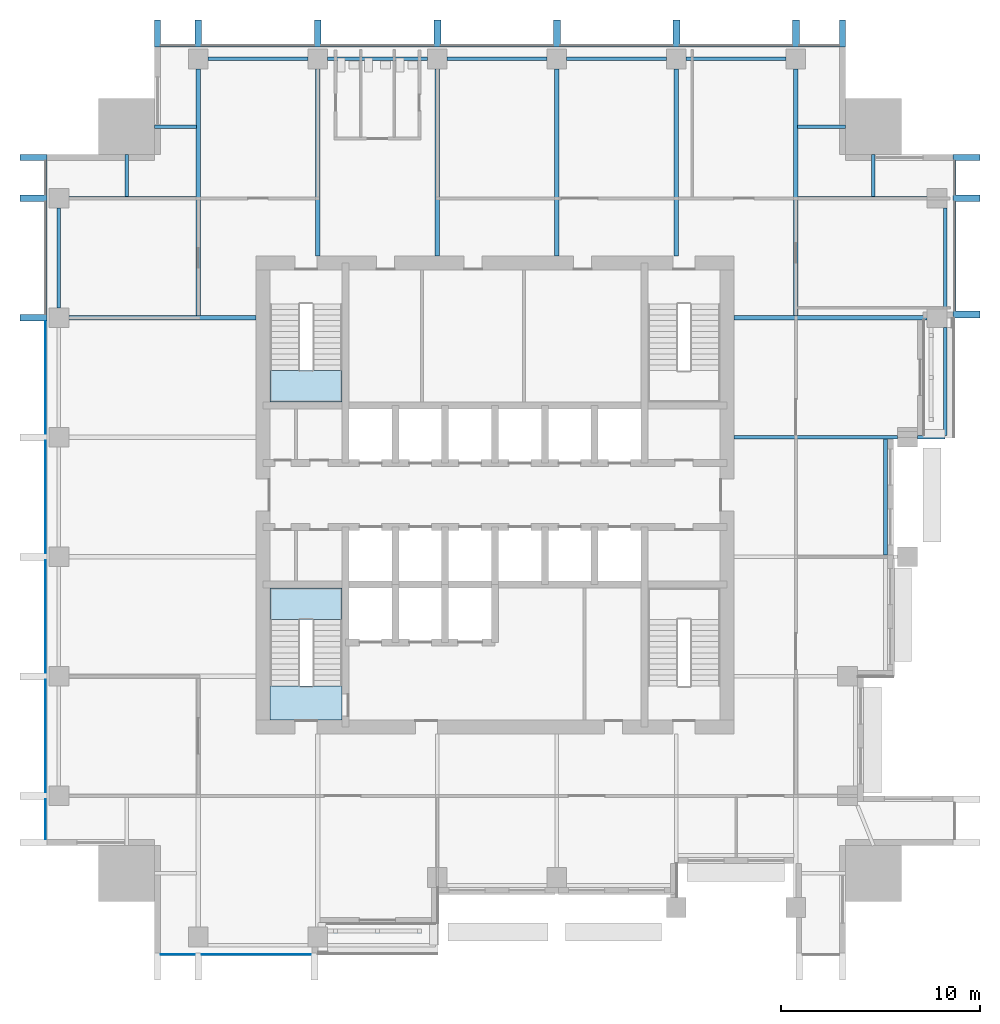
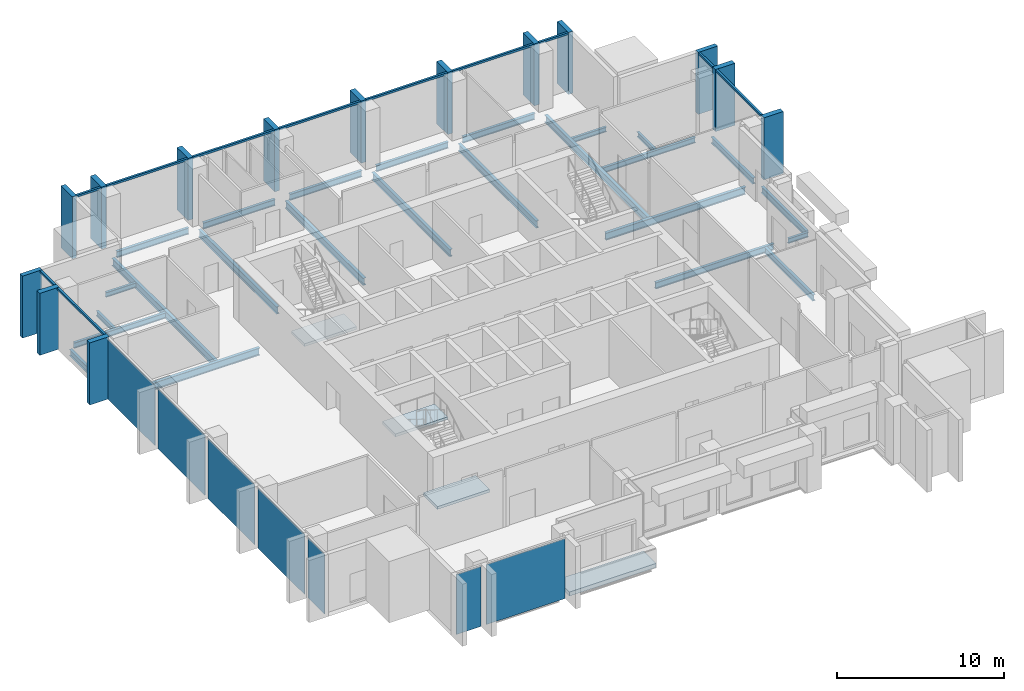
# One storey, part 2 of 11: 25 beams, 25 members, 7 plates, 4 slabs, 6 elements without a shape of their own.
"""IFC4 building model written with IfcOpenShell, lengths in metres."""

import ifcopenshell
import ifcopenshell.guid

model = None  # the IFC model being written
_history = None  # IfcOwnerHistory: only IFC2X3 demands one
_inside = {}  # id of a spatial element -> (the spatial element, [elements in it])
_under = {}  # id of a project, library or spatial element -> (it, [spatial elements below it])
_declared = {}  # id of a project -> (the project, [libraries it declares])
_typed = {}  # id of a type object -> (the type object, [elements of that type])
_made_of = {}  # id of a material, layer set ... -> (it, [elements and type objects made of it])


def new_model(schema):
    """Start an empty IFC model of exactly this schema.

    Asked for "IFC4X3", IfcOpenShell would pick the latest addendum, in which some entities
    have other attributes; the version numbers below select the first issue.
    IFC2X3 requires an IfcOwnerHistory on every rooted entity: one is made here for all.
    """
    global model, _history
    if schema == "IFC4X3":
        model = ifcopenshell.file(schema_version=(4, 3, 0, 0))
    else:
        model = ifcopenshell.file(schema=schema)
    _inside.clear()
    _under.clear()
    _declared.clear()
    _typed.clear()
    _made_of.clear()
    _history = None
    if model.schema == "IFC2X3":
        org = make("IfcOrganization", Name="unknown")
        user = make(
            "IfcPersonAndOrganization",
            ThePerson=make("IfcPerson", FamilyName="unknown"),
            TheOrganization=org,
        )
        app = make(
            "IfcApplication",
            ApplicationDeveloper=org,
            Version="unknown",
            ApplicationFullName="unknown",
            ApplicationIdentifier="unknown",
        )
        _history = make(
            "IfcOwnerHistory",
            OwningUser=user,
            OwningApplication=app,
            ChangeAction="ADDED",
            CreationDate=0,
        )
    return model


def make(cls, **values):
    """One entity of the class cls with the attributes given. An attribute that is None is left unset."""
    return model.create_entity(
        cls, **{name: value for name, value in values.items() if value is not None}
    )


def rooted(cls, **values):
    """An entity with a GlobalId (a new one), such as an element, a storey or a relation."""
    return make(cls, GlobalId=ifcopenshell.guid.new(), OwnerHistory=_history, **values)


def si_unit(unit_type, name, prefix=None):
    """IfcSIUnit, for example si_unit("LENGTHUNIT", "METRE", prefix="MILLI")."""
    return make("IfcSIUnit", UnitType=unit_type, Prefix=prefix, Name=name)


def assignment(units):
    """IfcUnitAssignment: the units of a project."""
    return None if units is None else make("IfcUnitAssignment", Units=units)


def point(xyz):
    """IfcCartesianPoint."""
    return None if xyz is None else make("IfcCartesianPoint", Coordinates=xyz)


def direction(xyz):
    """IfcDirection."""
    return None if xyz is None else make("IfcDirection", DirectionRatios=xyz)


def frame(location, z_axis=None, x_axis=None):
    """IfcAxis2Placement3D, a coordinate frame: its origin and axes. An axis left out is left unset."""
    return make(
        "IfcAxis2Placement3D",
        Location=point(location),
        Axis=direction(z_axis),
        RefDirection=direction(x_axis),
    )


def frame_2d(location, x_axis=None):
    """IfcAxis2Placement2D, a coordinate frame in the plane: its origin and x axis."""
    return make(
        "IfcAxis2Placement2D", Location=point(location), RefDirection=direction(x_axis)
    )


def origin():
    """The frame at (0, 0, 0) with its axes left unset."""
    return frame((0.0, 0.0, 0.0))


def origin_2d():
    """The frame at (0, 0) in the plane with its x axis left unset."""
    return frame_2d((0.0, 0.0))


def place(relative_to, where):
    """IfcLocalPlacement: puts the frame where relative to a parent placement (None: the world)."""
    return make(
        "IfcLocalPlacement", PlacementRelTo=relative_to, RelativePlacement=where
    )


def context(
    kind, dimensions, precision=None, world=None, true_north=None, identifier=None
):
    """IfcGeometricRepresentationContext, for example the 3D "Model" context."""
    return make(
        "IfcGeometricRepresentationContext",
        ContextIdentifier=identifier,
        ContextType=kind,
        CoordinateSpaceDimension=dimensions,
        Precision=precision,
        WorldCoordinateSystem=world,
        TrueNorth=true_north,
    )


def subcontext(parent, identifier, kind, view, scale=None):
    """IfcGeometricRepresentationSubContext, for example "Body" below "Model"."""
    return make(
        "IfcGeometricRepresentationSubContext",
        ContextIdentifier=identifier,
        ContextType=kind,
        ParentContext=parent,
        TargetScale=scale,
        TargetView=view,
    )


def project(units=None, contexts=None):
    """IfcProject with its units and contexts."""
    return rooted(
        "IfcProject",
        Name="project",
        RepresentationContexts=contexts,
        UnitsInContext=assignment(units),
    )


def spatial(cls, under=None, at=None, **own):
    """A site, building, storey or space (cls), placed at a placement, below another one or the project."""
    s = rooted(cls, ObjectPlacement=at, **own)
    if under is not None:
        _under.setdefault(under.id(), (under, []))[1].append(s)
    return s


def polyline(points):
    """IfcPolyline through the points."""
    return make("IfcPolyline", Points=[point(p) for p in points])


def profile(cls, at=None, kind="AREA", **sizes):
    """A parametric profile (cls). Its sizes go by their IFC names, for example OverallWidth=200.0."""
    return make(cls, ProfileType=kind, Position=at, **sizes)


def rectangle(**sizes):
    """IfcRectangleProfileDef."""
    return profile("IfcRectangleProfileDef", **sizes)


def i_section(**sizes):
    """IfcIShapeProfileDef."""
    return profile("IfcIShapeProfileDef", **sizes)


def outline(outer, holes=None, kind="AREA"):
    """IfcArbitraryClosedProfileDef: a profile drawn as a closed curve; with holes, ...WithVoids."""
    if holes is None:
        return make("IfcArbitraryClosedProfileDef", ProfileType=kind, OuterCurve=outer)
    return make(
        "IfcArbitraryProfileDefWithVoids",
        ProfileType=kind,
        OuterCurve=outer,
        InnerCurves=holes,
    )


def extrude(swept, where, along, depth):
    """IfcExtrudedAreaSolid: the profile swept, set in the frame where, extruded along a direction by depth."""
    return make(
        "IfcExtrudedAreaSolid",
        SweptArea=swept,
        Position=where,
        ExtrudedDirection=direction(along),
        Depth=depth,
    )


def shape(context_of_items, identifier, shape_type, items):
    """IfcShapeRepresentation: the items that make up one representation, for example the "Body"."""
    return make(
        "IfcShapeRepresentation",
        ContextOfItems=context_of_items,
        RepresentationIdentifier=identifier,
        RepresentationType=shape_type,
        Items=items,
    )


def material(Name=None, Category=None):
    """IfcMaterial."""
    return make("IfcMaterial", Name=Name, Category=Category)


def layer(
    of_material, thickness, ventilated=None, Name=None, Category=None, Priority=None
):
    """IfcMaterialLayer: one layer of a wall or slab, of a material (None: an air gap)."""
    return make(
        "IfcMaterialLayer",
        Material=of_material,
        LayerThickness=thickness,
        IsVentilated=ventilated,
        Name=Name,
        Category=Category,
        Priority=Priority,
    )


def layer_set(layers, Name=None):
    """IfcMaterialLayerSet."""
    return make("IfcMaterialLayerSet", MaterialLayers=layers, LayerSetName=Name)


def material_profile(
    of_material, cross_section, Name=None, Category=None, Priority=None
):
    """IfcMaterialProfile: a cross section and its material."""
    return make(
        "IfcMaterialProfile",
        Name=Name,
        Material=of_material,
        Profile=cross_section,
        Priority=Priority,
        Category=Category,
    )


def profile_set(profiles, Name=None, composite=None):
    """IfcMaterialProfileSet."""
    return make(
        "IfcMaterialProfileSet",
        Name=Name,
        MaterialProfiles=profiles,
        CompositeProfile=composite,
    )


def made_of(thing, what):
    """Note that an element or type object is made of a material, layer set ...; save() writes the relation."""
    if what is not None:
        _made_of.setdefault(what.id(), (what, []))[1].append(thing)
    return thing


def type_object(cls, material=None, **own):
    """A type object (cls), such as IfcWallType, which elements share."""
    return made_of(rooted(cls, **own), material)


def element(
    cls,
    number,
    at=None,
    inside=None,
    cuts=None,
    type_object=None,
    material=None,
    context=None,
    identifier="Body",
    shape_type=None,
    held_by="IfcProductDefinitionShape",
    body=None,
    shapes=None,
    **own,
):
    """One element of the class cls, such as IfcWall. Its Tag is "e" and its number.

    at: its placement. inside: the storey or other place that contains it. cuts: it is an
    opening in that element (IfcRelVoidsElement). A single representation is given by context,
    identifier, shape_type and body (its items); several are given by shapes. held_by: the class
    of the entity that holds the representations. save() writes the other relations.
    """
    e = rooted(cls, Tag="e%d" % number, ObjectPlacement=at, **own)
    if body is not None:
        shapes = [shape(context, identifier, shape_type, body)]
    if shapes is not None:
        e.Representation = make(held_by, Representations=shapes)
    if inside is not None:
        _inside.setdefault(inside.id(), (inside, []))[1].append(e)
    if cuts is not None:
        rooted(
            "IfcRelVoidsElement", RelatingBuildingElement=cuts, RelatedOpeningElement=e
        )
    if type_object is not None:
        _typed.setdefault(type_object.id(), (type_object, []))[1].append(e)
    return made_of(e, material)


def aggregate(whole, parts):
    """IfcRelAggregates: a whole, such as a stair, and the parts it consists of."""
    return rooted("IfcRelAggregates", RelatingObject=whole, RelatedObjects=parts)


def save(model, path):
    """Write the relations noted so far, then the file.

    IfcRelAggregates (storeys below a building ...), IfcRelContainedInSpatialStructure (elements
    in a storey), IfcRelDefinesByType, IfcRelAssociatesMaterial and IfcRelDeclares: one each for
    every whole, place, type object, material and project.
    """
    for whole, parts in _under.values():
        aggregate(whole, parts)
    for where, things in _inside.values():
        rooted(
            "IfcRelContainedInSpatialStructure",
            RelatedElements=things,
            RelatingStructure=where,
        )
    for kind, things in _typed.values():
        rooted("IfcRelDefinesByType", RelatedObjects=things, RelatingType=kind)
    for what, things in _made_of.values():
        rooted("IfcRelAssociatesMaterial", RelatedObjects=things, RelatingMaterial=what)
    for by, libraries in _declared.values():
        rooted("IfcRelDeclares", RelatingContext=by, RelatedDefinitions=libraries)
    model.write(path)


model = new_model("IFC4")

# Units and contexts
model_context = context("Model", 3, precision=1e-05, world=origin(), true_north=direction((0.0, 1.0)))
body_context = subcontext(model_context, "Body", "Model", "MODEL_VIEW")
ifc_project = project(units=[si_unit("LENGTHUNIT", "METRE"), si_unit("AREAUNIT", "SQUARE_METRE"), si_unit("VOLUMEUNIT", "CUBIC_METRE"), si_unit("PLANEANGLEUNIT", "RADIAN"), si_unit("MASSUNIT", "GRAM", prefix="KILO")], contexts=[model_context])

# Site, building, storey
site_placement = place(None, origin())
site = spatial("IfcSite", under=ifc_project, at=site_placement, CompositionType="ELEMENT")
building_placement = place(site_placement, origin())
building = spatial("IfcBuilding", under=site, at=building_placement, Name="Amberfall Residences", CompositionType="ELEMENT")
storey_placement = place(building_placement, frame((0.0, 0.0, 150.39990234375)))
storey = spatial("IfcBuildingStorey", under=building, at=storey_placement, Name="L40", CompositionType="ELEMENT", Elevation=150.39990234375)

# Curtain wall, members
ifc_material_1 = material(Name="Bronze anodised aluminium and glass", Category="aluminium")
curtain_wall_type = type_object("IfcCurtainWallType", Name="Curtain wall CW1 tower unit", PredefinedType="USERDEFINED", material=ifc_material_1)
curtain_wall_1_placement = place(storey_placement, origin())
curtain_wall_1 = element("IfcCurtainWall", 1, at=curtain_wall_1_placement, inside=storey, type_object=curtain_wall_type, Name="Curtain wall L40 E E10", ObjectType="UNITISED CURTAIN WALL", PredefinedType="USERDEFINED")
ifc_material_2 = material(Name="Bronze anodised aluminium", Category="aluminium")
ifc_material_profile_1 = material_profile(ifc_material_2, rectangle(XDim=0.14990234375, YDim=0.14990234375, at=origin_2d()), Name="CW1 transom 150 x 150 bronze")
ifc_profile_set_1 = profile_set([ifc_material_profile_1], Name="Bronze anodised aluminium")
member_type_1 = type_object("IfcMemberType", Name="CW1 transom 150 x 150 bronze", PredefinedType="USERDEFINED", material=ifc_profile_set_1)
member_1_placement = place(storey_placement, frame((97.574951171875, 54.75, 4.175048828125), z_axis=(0.0, 1.0, 0.0), x_axis=(-1.0, 0.0, 0.0)))
member_1 = element("IfcMember", 2, at=member_1_placement, type_object=member_type_1, Name="CW1 transom 1.1", ObjectType="TRANSOM", PredefinedType="USERDEFINED", context=body_context, shape_type="SweptSolid", body=[
    extrude(rectangle(XDim=0.14990234375, YDim=0.14990234375, at=origin_2d()), origin(), (0.0, 0.0, 1.0), 5.47509765625),
])
member_2_placement = place(storey_placement, frame((97.574951171875, 60.574951171875, 4.175048828125), z_axis=(0.0, 1.0, 0.0), x_axis=(-1.0, 0.0, 0.0)))
member_2 = element("IfcMember", 3, at=member_2_placement, type_object=member_type_1, Name="CW1 transom 2.1", ObjectType="TRANSOM", PredefinedType="USERDEFINED", context=body_context, shape_type="SweptSolid", body=[
    extrude(rectangle(XDim=0.14990234375, YDim=0.14990234375, at=origin_2d()), origin(), (0.0, 0.0, 1.0), 1.72509765625),
])

curtain_wall_2_placement = place(storey_placement, origin())
curtain_wall_2 = element("IfcCurtainWall", 4, at=curtain_wall_2_placement, inside=storey, type_object=curtain_wall_type, Name="Curtain wall L40 N N1", ObjectType="UNITISED CURTAIN WALL", PredefinedType="USERDEFINED")
member_3_placement = place(storey_placement, frame((91.800048828125, 68.074951171875, 4.175048828125), z_axis=(-1.0, 0.0, 0.0), x_axis=(0.0, -1.0, 0.0)))
member_3 = element("IfcMember", 5, at=member_3_placement, type_object=member_type_1, Name="CW1 transom 1.1", ObjectType="TRANSOM", PredefinedType="USERDEFINED", context=body_context, shape_type="SweptSolid", body=[
    extrude(rectangle(XDim=0.14990234375, YDim=0.14990234375, at=origin_2d()), origin(), (0.0, 0.0, 1.0), 2.025146484375),
])
member_4_placement = place(storey_placement, frame((89.425048828125, 68.074951171875, 4.175048828125), z_axis=(-1.0, 0.0, 0.0), x_axis=(0.0, -1.0, 0.0)))
member_4 = element("IfcMember", 6, at=member_4_placement, type_object=member_type_1, Name="CW1 transom 2.1", ObjectType="TRANSOM", PredefinedType="USERDEFINED", context=body_context, shape_type="SweptSolid", body=[
    extrude(rectangle(XDim=0.14990234375, YDim=0.14990234375, at=origin_2d()), origin(), (0.0, 0.0, 1.0), 5.650146484375),
])
member_5_placement = place(storey_placement, frame((83.425048828125, 68.074951171875, 4.175048828125), z_axis=(-1.0, 0.0, 0.0), x_axis=(0.0, -1.0, 0.0)))
member_5 = element("IfcMember", 7, at=member_5_placement, type_object=member_type_1, Name="CW1 transom 3.1", ObjectType="TRANSOM", PredefinedType="USERDEFINED", context=body_context, shape_type="SweptSolid", body=[
    extrude(rectangle(XDim=0.14990234375, YDim=0.14990234375, at=origin_2d()), origin(), (0.0, 0.0, 1.0), 5.650146484375),
])
member_6_placement = place(storey_placement, frame((77.425048828125, 68.074951171875, 4.175048828125), z_axis=(-1.0, 0.0, 0.0), x_axis=(0.0, -1.0, 0.0)))
member_6 = element("IfcMember", 8, at=member_6_placement, type_object=member_type_1, Name="CW1 transom 4.1", ObjectType="TRANSOM", PredefinedType="USERDEFINED", context=body_context, shape_type="SweptSolid", body=[
    extrude(rectangle(XDim=0.14990234375, YDim=0.14990234375, at=origin_2d()), origin(), (0.0, 0.0, 1.0), 5.650146484375),
])
member_7_placement = place(storey_placement, frame((71.425048828125, 68.074951171875, 4.175048828125), z_axis=(-1.0, 0.0, 0.0), x_axis=(0.0, -1.0, 0.0)))
member_7 = element("IfcMember", 9, at=member_7_placement, type_object=member_type_1, Name="CW1 transom 5.1", ObjectType="TRANSOM", PredefinedType="USERDEFINED", context=body_context, shape_type="SweptSolid", body=[
    extrude(rectangle(XDim=0.14990234375, YDim=0.14990234375, at=origin_2d()), origin(), (0.0, 0.0, 1.0), 5.650146484375),
])
member_8_placement = place(storey_placement, frame((65.425048828125, 68.074951171875, 4.175048828125), z_axis=(-1.0, 0.0, 0.0), x_axis=(0.0, -1.0, 0.0)))
member_8 = element("IfcMember", 10, at=member_8_placement, type_object=member_type_1, Name="CW1 transom 6.1", ObjectType="TRANSOM", PredefinedType="USERDEFINED", context=body_context, shape_type="SweptSolid", body=[
    extrude(rectangle(XDim=0.14990234375, YDim=0.14990234375, at=origin_2d()), origin(), (0.0, 0.0, 1.0), 5.650146484375),
])
member_9_placement = place(storey_placement, frame((59.425048828125, 68.074951171875, 4.175048828125), z_axis=(-1.0, 0.0, 0.0), x_axis=(0.0, -1.0, 0.0)))
member_9 = element("IfcMember", 11, at=member_9_placement, type_object=member_type_1, Name="CW1 transom 7.1", ObjectType="TRANSOM", PredefinedType="USERDEFINED", context=body_context, shape_type="SweptSolid", body=[
    extrude(rectangle(XDim=0.14990234375, YDim=0.14990234375, at=origin_2d()), origin(), (0.0, 0.0, 1.0), 1.72509765625),
])

curtain_wall_3_placement = place(storey_placement, origin())
curtain_wall_3 = element("IfcCurtainWall", 12, at=curtain_wall_3_placement, inside=storey, type_object=curtain_wall_type, Name="Curtain wall L40 W W1", ObjectType="UNITISED CURTAIN WALL", PredefinedType="USERDEFINED")
member_10_placement = place(storey_placement, frame((51.925048828125, 62.300048828125, 4.175048828125), z_axis=(0.0, -1.0, 0.0), x_axis=(1.0, 0.0, 0.0)))
member_10 = element("IfcMember", 13, at=member_10_placement, type_object=member_type_1, Name="CW1 transom 1.1", ObjectType="TRANSOM", PredefinedType="USERDEFINED", context=body_context, shape_type="SweptSolid", body=[
    extrude(rectangle(XDim=0.14990234375, YDim=0.14990234375, at=origin_2d()), origin(), (0.0, 0.0, 1.0), 1.72509765625),
])
member_11_placement = place(storey_placement, frame((51.925048828125, 60.22509765625, 4.175048828125), z_axis=(0.0, -1.0, 0.0), x_axis=(1.0, 0.0, 0.0)))
member_11 = element("IfcMember", 14, at=member_11_placement, type_object=member_type_1, Name="CW1 transom 2.1", ObjectType="TRANSOM", PredefinedType="USERDEFINED", context=body_context, shape_type="SweptSolid", body=[
    extrude(rectangle(XDim=0.14990234375, YDim=0.14990234375, at=origin_2d()), origin(), (0.0, 0.0, 1.0), 5.650146484375),
])

# Beam
ifc_material_3 = material(Name="Steel S355", Category="steel")
ifc_material_profile_2 = material_profile(ifc_material_3, i_section(OverallWidth=0.171142578125, OverallDepth=0.351318359375, WebThickness=0.007080078125, FlangeThickness=0.009765625, FilletRadius=0.01025390625, at=origin_2d()), Name="UB 356x171x45")
ifc_profile_set_2 = profile_set([ifc_material_profile_2], Name="Steel S355")
beam_type_1 = type_object("IfcBeamType", Name="Cantilever girder UB 356x171x45", PredefinedType="BEAM", material=ifc_profile_set_2)
beam_1_placement = place(storey_placement, frame((95.699951171875, 48.39990234375, -0.4755859375), z_axis=(1.0, 0.0, 0.0), x_axis=(0.0, 1.0, 0.0)))
element("IfcBeam", 15, at=beam_1_placement, inside=storey, type_object=beam_type_1, Name="Cantilever girder B8 L40 19", PredefinedType="BEAM", context=body_context, shape_type="SweptSolid", body=[
    extrude(i_section(OverallWidth=0.171142578125, OverallDepth=0.351318359375, WebThickness=0.007080078125, FlangeThickness=0.009765625, FilletRadius=0.01025390625, at=origin_2d()), origin(), (0.0, 0.0, 1.0), 1.400146484375),
])

# Member
ifc_material_profile_3 = material_profile(ifc_material_2, rectangle(XDim=1.35009765625, YDim=0.300048828125, at=origin_2d()), Name="Corner fin 300 x 1350 bronze")
ifc_profile_set_3 = profile_set([ifc_material_profile_3], Name="Bronze anodised aluminium")
member_type_2 = type_object("IfcMemberType", Name="Corner fin 300 x 1350 bronze", PredefinedType="MULLION", material=ifc_profile_set_3)
member_12_placement = place(storey_placement, frame((98.175048828125, 62.449951171875, -0.2998046875), z_axis=(0.0, 0.0, 1.0), x_axis=(-1.0, 0.0, 0.0)))
member_12 = element("IfcMember", 16, at=member_12_placement, type_object=member_type_2, Name="CW FIN 3", PredefinedType="MULLION", context=body_context, shape_type="SweptSolid", body=[
    extrude(rectangle(XDim=1.35009765625, YDim=0.300048828125, at=origin_2d()), origin(), (0.0, 0.0, 1.0), 4.5498046875),
])

member_13_placement = place(storey_placement, frame((91.949951171875, 68.675048828125, -0.2998046875), z_axis=(0.0, 0.0, 1.0), x_axis=(0.0, -1.0, 0.0)))
member_13 = element("IfcMember", 17, at=member_13_placement, type_object=member_type_2, Name="CW FIN 1", PredefinedType="MULLION", context=body_context, shape_type="SweptSolid", body=[
    extrude(rectangle(XDim=1.35009765625, YDim=0.300048828125, at=origin_2d()), origin(), (0.0, 0.0, 1.0), 4.5498046875),
])

member_14_placement = place(storey_placement, frame((57.550048828125, 68.675048828125, -0.2998046875), z_axis=(0.0, 0.0, 1.0), x_axis=(0.0, -1.0, 0.0)))
member_14 = element("IfcMember", 18, at=member_14_placement, type_object=member_type_2, Name="CW FIN 8", PredefinedType="MULLION", context=body_context, shape_type="SweptSolid", body=[
    extrude(rectangle(XDim=1.35009765625, YDim=0.300048828125, at=origin_2d()), origin(), (0.0, 0.0, 1.0), 4.5498046875),
])

member_15_placement = place(storey_placement, frame((51.324951171875, 62.449951171875, -0.2998046875), z_axis=(0.0, 0.0, 1.0), x_axis=(1.0, 0.0, 0.0)))
member_15 = element("IfcMember", 19, at=member_15_placement, type_object=member_type_2, Name="CW FIN 1", PredefinedType="MULLION", context=body_context, shape_type="SweptSolid", body=[
    extrude(rectangle(XDim=1.35009765625, YDim=0.300048828125, at=origin_2d()), origin(), (0.0, 0.0, 1.0), 4.5498046875),
])

# Beams
ifc_material_profile_4 = material_profile(ifc_material_3, i_section(OverallWidth=0.18994140625, OverallDepth=0.453369140625, WebThickness=0.008544921875, FlangeThickness=0.0126953125, FilletRadius=0.01025390625, at=origin_2d()), Name="UB 457x191x67")
ifc_profile_set_4 = profile_set([ifc_material_profile_4], Name="Steel S355")
beam_type_2 = type_object("IfcBeamType", Name="Edge beam UB 457x191x67", PredefinedType="SPANDREL", material=ifc_profile_set_4)
beam_2_placement = place(storey_placement, frame((94.10009765625, 42.47998046875, -0.526611328125), z_axis=(0.0, 1.0, 0.0), x_axis=(-1.0, 0.0, 0.0)))
element("IfcBeam", 20, at=beam_2_placement, inside=storey, type_object=beam_type_2, Name="Edge beam B1 L40 15", PredefinedType="SPANDREL", context=body_context, shape_type="SweptSolid", body=[
    extrude(i_section(OverallWidth=0.18994140625, OverallDepth=0.453369140625, WebThickness=0.008544921875, FlangeThickness=0.0126953125, FilletRadius=0.01025390625, at=origin_2d()), origin(), (0.0, 0.0, 1.0), 5.840087890625),
])
beam_3_placement = place(storey_placement, frame((97.10009765625, 48.47998046875, -0.526611328125), z_axis=(0.0, 1.0, 0.0), x_axis=(-1.0, 0.0, 0.0)))
element("IfcBeam", 21, at=beam_3_placement, inside=storey, type_object=beam_type_2, Name="Edge beam B1 L40 16", PredefinedType="SPANDREL", context=body_context, shape_type="SweptSolid", body=[
    extrude(i_section(OverallWidth=0.18994140625, OverallDepth=0.453369140625, WebThickness=0.008544921875, FlangeThickness=0.0126953125, FilletRadius=0.01025390625, at=origin_2d()), origin(), (0.0, 0.0, 1.0), 5.419921875),
])
for number, where, z_axis, x_axis, name in (
    (22, (97.10009765625, 54.89990234375, -0.526611328125), (0.0, 1.0, 0.0), (-1.0, 0.0, 0.0), "Edge beam B1 L40 17"),
    (23, (60.10009765625, 67.39990234375, -0.526611328125), (1.0, 0.0, 0.0), (0.0, 1.0, 0.0), "Edge beam B1 L40 26"),
    (24, (66.10009765625, 67.39990234375, -0.526611328125), (1.0, 0.0, 0.0), (0.0, 1.0, 0.0), "Edge beam B1 L40 27"),
    (25, (72.10009765625, 67.39990234375, -0.526611328125), (1.0, 0.0, 0.0), (0.0, 1.0, 0.0), "Edge beam B1 L40 28"),
    (26, (78.10009765625, 67.39990234375, -0.526611328125), (1.0, 0.0, 0.0), (0.0, 1.0, 0.0), "Edge beam B1 L40 29"),
    (27, (84.10009765625, 67.39990234375, -0.526611328125), (1.0, 0.0, 0.0), (0.0, 1.0, 0.0), "Edge beam B1 L40 30"),
    (28, (52.60009765625, 54.89990234375, -0.526611328125), (0.0, 1.0, 0.0), (-1.0, 0.0, 0.0), "Edge beam B1 L40 41"),
):
    element("IfcBeam", number, at=place(storey_placement, frame(where, z_axis=z_axis, x_axis=x_axis)), inside=storey, type_object=beam_type_2, Name=name, PredefinedType="SPANDREL", context=body_context, shape_type="SweptSolid", body=[
        extrude(i_section(OverallWidth=0.18994140625, OverallDepth=0.453369140625, WebThickness=0.008544921875, FlangeThickness=0.0126953125, FilletRadius=0.01025390625, at=origin_2d()), origin(), (0.0, 0.0, 1.0), 5.0),
    ])

# Member
ifc_material_profile_5 = material_profile(ifc_material_2, rectangle(XDim=1.35009765625, YDim=0.35009765625, at=origin_2d()), Name="Fin 350 x 1350 bronze")
ifc_profile_set_5 = profile_set([ifc_material_profile_5], Name="Bronze anodised aluminium")
member_type_3 = type_object("IfcMemberType", Name="Fin 350 x 1350 bronze", PredefinedType="MULLION", material=ifc_profile_set_5)
member_16_placement = place(storey_placement, frame((98.175048828125, 54.574951171875, -0.2998046875), z_axis=(0.0, 0.0, 1.0), x_axis=(-1.0, 0.0, 0.0)))
member_16 = element("IfcMember", 29, at=member_16_placement, type_object=member_type_3, Name="CW FIN 1", PredefinedType="MULLION", context=body_context, shape_type="SweptSolid", body=[
    extrude(rectangle(XDim=1.35009765625, YDim=0.35009765625, at=origin_2d()), origin(), (0.0, 0.0, 1.0), 4.5498046875),
])

member_17_placement = place(storey_placement, frame((98.175048828125, 60.39990234375, -0.2998046875), z_axis=(0.0, 0.0, 1.0), x_axis=(-1.0, 0.0, 0.0)))
member_17 = element("IfcMember", 30, at=member_17_placement, type_object=member_type_3, Name="CW FIN 2", PredefinedType="MULLION", context=body_context, shape_type="SweptSolid", body=[
    extrude(rectangle(XDim=1.35009765625, YDim=0.35009765625, at=origin_2d()), origin(), (0.0, 0.0, 1.0), 4.5498046875),
])

aggregate(curtain_wall_1, [member_16, member_17, member_12, member_1, member_2])

member_18_placement = place(storey_placement, frame((89.60009765625, 68.675048828125, -0.2998046875), z_axis=(0.0, 0.0, 1.0), x_axis=(0.0, -1.0, 0.0)))
member_18 = element("IfcMember", 31, at=member_18_placement, type_object=member_type_3, Name="CW FIN 2", PredefinedType="MULLION", context=body_context, shape_type="SweptSolid", body=[
    extrude(rectangle(XDim=1.35009765625, YDim=0.35009765625, at=origin_2d()), origin(), (0.0, 0.0, 1.0), 4.5498046875),
])

member_19_placement = place(storey_placement, frame((83.60009765625, 68.675048828125, -0.2998046875), z_axis=(0.0, 0.0, 1.0), x_axis=(0.0, -1.0, 0.0)))
member_19 = element("IfcMember", 32, at=member_19_placement, type_object=member_type_3, Name="CW FIN 3", PredefinedType="MULLION", context=body_context, shape_type="SweptSolid", body=[
    extrude(rectangle(XDim=1.35009765625, YDim=0.35009765625, at=origin_2d()), origin(), (0.0, 0.0, 1.0), 4.5498046875),
])

member_20_placement = place(storey_placement, frame((77.60009765625, 68.675048828125, -0.2998046875), z_axis=(0.0, 0.0, 1.0), x_axis=(0.0, -1.0, 0.0)))
member_20 = element("IfcMember", 33, at=member_20_placement, type_object=member_type_3, Name="CW FIN 4", PredefinedType="MULLION", context=body_context, shape_type="SweptSolid", body=[
    extrude(rectangle(XDim=1.35009765625, YDim=0.35009765625, at=origin_2d()), origin(), (0.0, 0.0, 1.0), 4.5498046875),
])

member_21_placement = place(storey_placement, frame((71.60009765625, 68.675048828125, -0.2998046875), z_axis=(0.0, 0.0, 1.0), x_axis=(0.0, -1.0, 0.0)))
member_21 = element("IfcMember", 34, at=member_21_placement, type_object=member_type_3, Name="CW FIN 5", PredefinedType="MULLION", context=body_context, shape_type="SweptSolid", body=[
    extrude(rectangle(XDim=1.35009765625, YDim=0.35009765625, at=origin_2d()), origin(), (0.0, 0.0, 1.0), 4.5498046875),
])

member_22_placement = place(storey_placement, frame((65.60009765625, 68.675048828125, -0.2998046875), z_axis=(0.0, 0.0, 1.0), x_axis=(0.0, -1.0, 0.0)))
member_22 = element("IfcMember", 35, at=member_22_placement, type_object=member_type_3, Name="CW FIN 6", PredefinedType="MULLION", context=body_context, shape_type="SweptSolid", body=[
    extrude(rectangle(XDim=1.35009765625, YDim=0.35009765625, at=origin_2d()), origin(), (0.0, 0.0, 1.0), 4.5498046875),
])

member_23_placement = place(storey_placement, frame((59.60009765625, 68.675048828125, -0.2998046875), z_axis=(0.0, 0.0, 1.0), x_axis=(0.0, -1.0, 0.0)))
member_23 = element("IfcMember", 36, at=member_23_placement, type_object=member_type_3, Name="CW FIN 7", PredefinedType="MULLION", context=body_context, shape_type="SweptSolid", body=[
    extrude(rectangle(XDim=1.35009765625, YDim=0.35009765625, at=origin_2d()), origin(), (0.0, 0.0, 1.0), 4.5498046875),
])

aggregate(curtain_wall_2, [member_13, member_18, member_19, member_20, member_21, member_22, member_23, member_14, member_3, member_4, member_5, member_6, member_7, member_8, member_9])

member_24_placement = place(storey_placement, frame((51.324951171875, 60.39990234375, -0.2998046875), z_axis=(0.0, 0.0, 1.0), x_axis=(1.0, 0.0, 0.0)))
member_24 = element("IfcMember", 37, at=member_24_placement, type_object=member_type_3, Name="CW FIN 2", PredefinedType="MULLION", context=body_context, shape_type="SweptSolid", body=[
    extrude(rectangle(XDim=1.35009765625, YDim=0.35009765625, at=origin_2d()), origin(), (0.0, 0.0, 1.0), 4.5498046875),
])

member_25_placement = place(storey_placement, frame((51.324951171875, 54.39990234375, -0.2998046875), z_axis=(0.0, 0.0, 1.0), x_axis=(1.0, 0.0, 0.0)))
member_25 = element("IfcMember", 38, at=member_25_placement, type_object=member_type_3, Name="CW FIN 3", PredefinedType="MULLION", context=body_context, shape_type="SweptSolid", body=[
    extrude(rectangle(XDim=1.35009765625, YDim=0.35009765625, at=origin_2d()), origin(), (0.0, 0.0, 1.0), 4.5498046875),
])

# Beams
ifc_material_profile_6 = material_profile(ifc_material_3, i_section(OverallWidth=0.177734375, OverallDepth=0.402587890625, WebThickness=0.0078125, FlangeThickness=0.010986328125, FilletRadius=0.01025390625, at=origin_2d()), Name="UB 406x178x54")
ifc_profile_set_6 = profile_set([ifc_material_profile_6], Name="Steel S355")
beam_type_3 = type_object("IfcBeamType", Name="Floor girder UB 406x178x54", PredefinedType="BEAM", material=ifc_profile_set_6)
beam_4_placement = place(storey_placement, frame((96.199951171875, 60.39990234375, -0.501220703125), z_axis=(-1.0, 0.0, 0.0), x_axis=(0.0, -1.0, 0.0)))
element("IfcBeam", 39, at=beam_4_placement, inside=storey, type_object=beam_type_3, Name="Floor girder B4 L40 25", PredefinedType="BEAM", context=body_context, shape_type="SweptSolid", body=[
    extrude(i_section(OverallWidth=0.177734375, OverallDepth=0.402587890625, WebThickness=0.0078125, FlangeThickness=0.010986328125, FilletRadius=0.01025390625, at=origin_2d()), origin(), (0.0, 0.0, 1.0), 6.47998046875),
])
beam_5_placement = place(storey_placement, frame((53.10009765625, 60.39990234375, -0.501220703125), z_axis=(1.0, 0.0, 0.0), x_axis=(0.0, 1.0, 0.0)))
element("IfcBeam", 40, at=beam_5_placement, inside=storey, type_object=beam_type_3, Name="Floor girder B4 L40 47", PredefinedType="BEAM", context=body_context, shape_type="SweptSolid", body=[
    extrude(i_section(OverallWidth=0.177734375, OverallDepth=0.402587890625, WebThickness=0.0078125, FlangeThickness=0.010986328125, FilletRadius=0.01025390625, at=origin_2d()), origin(), (0.0, 0.0, 1.0), 6.3798828125),
])
ifc_material_profile_7 = material_profile(ifc_material_3, i_section(OverallWidth=0.19140625, OverallDepth=0.4599609375, WebThickness=0.010009765625, FlangeThickness=0.01611328125, FilletRadius=0.01025390625, at=origin_2d()), Name="UB 457x191x82")
ifc_profile_set_7 = profile_set([ifc_material_profile_7], Name="Steel S355")
beam_type_4 = type_object("IfcBeamType", Name="Floor girder UB 457x191x82", PredefinedType="BEAM", material=ifc_profile_set_7)
beam_6_placement = place(storey_placement, frame((94.699951171875, 48.39990234375, -0.52978515625), z_axis=(-1.0, 0.0, 0.0), x_axis=(0.0, -1.0, 0.0)))
element("IfcBeam", 41, at=beam_6_placement, inside=storey, type_object=beam_type_4, Name="Floor girder B10 L40 23", PredefinedType="BEAM", context=body_context, shape_type="SweptSolid", body=[
    extrude(i_section(OverallWidth=0.19140625, OverallDepth=0.4599609375, WebThickness=0.010009765625, FlangeThickness=0.01611328125, FilletRadius=0.01025390625, at=origin_2d()), origin(), (0.0, 0.0, 1.0), 8.199951171875),
])
ifc_material_profile_8 = material_profile(ifc_material_3, i_section(OverallWidth=0.210693359375, OverallDepth=0.53955078125, WebThickness=0.01171875, FlangeThickness=0.018798828125, FilletRadius=0.0126953125, at=origin_2d()), Name="UB 533x210x109")
ifc_profile_set_8 = profile_set([ifc_material_profile_8], Name="Steel S355")
beam_type_5 = type_object("IfcBeamType", Name="Floor girder UB 533x210x109", PredefinedType="BEAM", material=ifc_profile_set_8)
for number, where, z_axis, x_axis, name in (
    (42, (59.60009765625, 66.89990234375, -0.569580078125), (0.0, -1.0, 0.0), (1.0, 0.0, 0.0), "Floor girder B2 L40 31"),
    (43, (89.60009765625, 66.89990234375, -0.569580078125), (0.0, -1.0, 0.0), (1.0, 0.0, 0.0), "Floor girder B2 L40 36"),
):
    element("IfcBeam", number, at=place(storey_placement, frame(where, z_axis=z_axis, x_axis=x_axis)), inside=storey, type_object=beam_type_5, Name=name, PredefinedType="BEAM", context=body_context, shape_type="SweptSolid", body=[
        extrude(i_section(OverallWidth=0.210693359375, OverallDepth=0.53955078125, WebThickness=0.01171875, FlangeThickness=0.018798828125, FilletRadius=0.0126953125, at=origin_2d()), origin(), (0.0, 0.0, 1.0), 12.400390625),
    ])
ifc_material_profile_9 = material_profile(ifc_material_3, i_section(OverallWidth=0.209228515625, OverallDepth=0.533203125, WebThickness=0.010009765625, FlangeThickness=0.015625, FilletRadius=0.0126953125, at=origin_2d()), Name="UB 533x210x92")
ifc_profile_set_9 = profile_set([ifc_material_profile_9], Name="Steel S355")
beam_type_6 = type_object("IfcBeamType", Name="Floor girder UB 533x210x92", PredefinedType="BEAM", material=ifc_profile_set_9)
beam_7_placement = place(storey_placement, frame((96.199951171875, 54.39990234375, -0.56640625), z_axis=(-1.0, 0.0, 0.0), x_axis=(0.0, -1.0, 0.0)))
element("IfcBeam", 44, at=beam_7_placement, inside=storey, type_object=beam_type_6, Name="Floor girder B3 L40 24", PredefinedType="BEAM", context=body_context, shape_type="SweptSolid", body=[
    extrude(i_section(OverallWidth=0.209228515625, OverallDepth=0.533203125, WebThickness=0.010009765625, FlangeThickness=0.015625, FilletRadius=0.0126953125, at=origin_2d()), origin(), (0.0, 0.0, 1.0), 9.699951171875),
])
for number, where, z_axis, x_axis, name in (
    (45, (65.60009765625, 66.89990234375, -0.56640625), (0.0, -1.0, 0.0), (1.0, 0.0, 0.0), "Floor girder B3 L40 32"),
    (46, (71.60009765625, 66.89990234375, -0.56640625), (0.0, -1.0, 0.0), (1.0, 0.0, 0.0), "Floor girder B3 L40 33"),
    (47, (77.60009765625, 66.89990234375, -0.56640625), (0.0, -1.0, 0.0), (1.0, 0.0, 0.0), "Floor girder B3 L40 34"),
    (48, (83.60009765625, 66.89990234375, -0.56640625), (0.0, -1.0, 0.0), (1.0, 0.0, 0.0), "Floor girder B3 L40 35"),
    (49, (53.10009765625, 54.39990234375, -0.56640625), (1.0, 0.0, 0.0), (0.0, 1.0, 0.0), "Floor girder B3 L40 46"),
):
    element("IfcBeam", number, at=place(storey_placement, frame(where, z_axis=z_axis, x_axis=x_axis)), inside=storey, type_object=beam_type_6, Name=name, PredefinedType="BEAM", context=body_context, shape_type="SweptSolid", body=[
        extrude(i_section(OverallWidth=0.209228515625, OverallDepth=0.533203125, WebThickness=0.010009765625, FlangeThickness=0.015625, FilletRadius=0.0126953125, at=origin_2d()), origin(), (0.0, 0.0, 1.0), 9.39990234375),
    ])
ifc_material_profile_10 = material_profile(ifc_material_3, i_section(OverallWidth=0.171142578125, OverallDepth=0.351318359375, WebThickness=0.007080078125, FlangeThickness=0.009765625, FilletRadius=0.01025390625, at=origin_2d()), Name="UB 356x171x45")
ifc_profile_set_10 = profile_set([ifc_material_profile_10], Name="Steel S355")
beam_type_7 = type_object("IfcBeamType", Name="Link beam UB 356x171x45", PredefinedType="BEAM", material=ifc_profile_set_10)
beam_8_placement = place(storey_placement, frame((92.10009765625, 64.0, -0.4755859375), z_axis=(-1.0, 0.0, 0.0), x_axis=(0.0, -1.0, 0.0)))
element("IfcBeam", 50, at=beam_8_placement, inside=storey, type_object=beam_type_7, Name="Link beam B7 L40 52", PredefinedType="BEAM", context=body_context, shape_type="SweptSolid", body=[
    extrude(i_section(OverallWidth=0.171142578125, OverallDepth=0.351318359375, WebThickness=0.007080078125, FlangeThickness=0.009765625, FilletRadius=0.01025390625, at=origin_2d()), origin(), (0.0, 0.0, 1.0), 2.40478515625),
])
beam_9_placement = place(storey_placement, frame((93.5, 62.60009765625, -0.4755859375), z_axis=(0.0, -1.0, 0.0), x_axis=(1.0, 0.0, 0.0)))
element("IfcBeam", 51, at=beam_9_placement, inside=storey, type_object=beam_type_7, Name="Link beam B7 L40 53", PredefinedType="BEAM", context=body_context, shape_type="SweptSolid", body=[
    extrude(i_section(OverallWidth=0.171142578125, OverallDepth=0.351318359375, WebThickness=0.007080078125, FlangeThickness=0.009765625, FilletRadius=0.01025390625, at=origin_2d()), origin(), (0.0, 0.0, 1.0), 2.12109375),
])
beam_10_placement = place(storey_placement, frame((57.39990234375, 64.0, -0.4755859375), z_axis=(1.0, 0.0, 0.0), x_axis=(0.0, 1.0, 0.0)))
element("IfcBeam", 52, at=beam_10_placement, inside=storey, type_object=beam_type_7, Name="Link beam B7 L40 54", PredefinedType="BEAM", context=body_context, shape_type="SweptSolid", body=[
    extrude(i_section(OverallWidth=0.171142578125, OverallDepth=0.351318359375, WebThickness=0.007080078125, FlangeThickness=0.009765625, FilletRadius=0.01025390625, at=origin_2d()), origin(), (0.0, 0.0, 1.0), 2.104736328125),
])
beam_11_placement = place(storey_placement, frame((56.0, 62.60009765625, -0.4755859375), z_axis=(0.0, -1.0, 0.0), x_axis=(1.0, 0.0, 0.0)))
element("IfcBeam", 53, at=beam_11_placement, inside=storey, type_object=beam_type_7, Name="Link beam B7 L40 55", PredefinedType="BEAM", context=body_context, shape_type="SweptSolid", body=[
    extrude(i_section(OverallWidth=0.171142578125, OverallDepth=0.351318359375, WebThickness=0.007080078125, FlangeThickness=0.009765625, FilletRadius=0.01025390625, at=origin_2d()), origin(), (0.0, 0.0, 1.0), 2.12109375),
])

# Curtain wall, plates
curtain_wall_4_placement = place(storey_placement, origin())
curtain_wall_4 = element("IfcCurtainWall", 54, at=curtain_wall_4_placement, inside=storey, type_object=curtain_wall_type, Name="Curtain wall L40 S S1", ObjectType="UNITISED CURTAIN WALL", PredefinedType="USERDEFINED")
ifc_material_4 = material(Name="Tinted double glazed unit", Category="glass")
ifc_layer_1 = layer(ifc_material_4, 0.035888671875)
ifc_layer_set_1 = layer_set([ifc_layer_1], Name="CW1 panel 36 glazing")
plate_type = type_object("IfcPlateType", Name="CW1 panel 36 glazing", PredefinedType="CURTAIN_PANEL", material=ifc_layer_set_1)
plate_1_placement = place(storey_placement, frame((58.5625, 22.425048828125, -0.2998046875), z_axis=(0.0, 0.0, 1.0), x_axis=(1.0, 0.0, 0.0)))
plate_1 = element("IfcPlate", 55, at=plate_1_placement, type_object=plate_type, Name="CW1 panel 1.1", PredefinedType="CURTAIN_PANEL", context=body_context, shape_type="SweptSolid", body=[
    extrude(rectangle(XDim=1.700927734375, YDim=0.035888671875, at=origin_2d()), origin(), (0.0, 0.0, 1.0), 4.39990234375),
])
plate_2_placement = place(storey_placement, frame((62.512451171875, 22.425048828125, -0.2998046875), z_axis=(0.0, 0.0, 1.0), x_axis=(1.0, 0.0, 0.0)))
plate_2 = element("IfcPlate", 56, at=plate_2_placement, type_object=plate_type, Name="CW1 panel 2.1", PredefinedType="CURTAIN_PANEL", context=body_context, shape_type="SweptSolid", body=[
    extrude(rectangle(XDim=5.450927734375, YDim=0.035888671875, at=origin_2d()), origin(), (0.0, 0.0, 1.0), 4.39990234375),
])
aggregate(curtain_wall_4, [plate_1, plate_2])

# Plate
plate_3_placement = place(storey_placement, frame((51.925048828125, 51.39990234375, -0.2998046875), z_axis=(0.0, 0.0, 1.0), x_axis=(0.0, -1.0, 0.0)))
plate_3 = element("IfcPlate", 57, at=plate_3_placement, type_object=plate_type, Name="CW1 panel 3.1", PredefinedType="CURTAIN_PANEL", context=body_context, shape_type="SweptSolid", body=[
    extrude(rectangle(XDim=5.6259765625, YDim=0.035888671875, at=origin_2d()), origin(), (0.0, 0.0, 1.0), 4.39990234375),
])

plate_4_placement = place(storey_placement, frame((51.925048828125, 45.39990234375, -0.2998046875), z_axis=(0.0, 0.0, 1.0), x_axis=(0.0, -1.0, 0.0)))
plate_4 = element("IfcPlate", 58, at=plate_4_placement, type_object=plate_type, Name="CW1 panel 4.1", PredefinedType="CURTAIN_PANEL", context=body_context, shape_type="SweptSolid", body=[
    extrude(rectangle(XDim=5.6259765625, YDim=0.035888671875, at=origin_2d()), origin(), (0.0, 0.0, 1.0), 4.39990234375),
])

plate_5_placement = place(storey_placement, frame((51.925048828125, 39.39990234375, -0.2998046875), z_axis=(0.0, 0.0, 1.0), x_axis=(0.0, -1.0, 0.0)))
plate_5 = element("IfcPlate", 59, at=plate_5_placement, type_object=plate_type, Name="CW1 panel 5.1", PredefinedType="CURTAIN_PANEL", context=body_context, shape_type="SweptSolid", body=[
    extrude(rectangle(XDim=5.6259765625, YDim=0.035888671875, at=origin_2d()), origin(), (0.0, 0.0, 1.0), 4.39990234375),
])

plate_6_placement = place(storey_placement, frame((51.925048828125, 33.39990234375, -0.2998046875), z_axis=(0.0, 0.0, 1.0), x_axis=(0.0, -1.0, 0.0)))
plate_6 = element("IfcPlate", 60, at=plate_6_placement, type_object=plate_type, Name="CW1 panel 6.1", PredefinedType="CURTAIN_PANEL", context=body_context, shape_type="SweptSolid", body=[
    extrude(rectangle(XDim=5.6259765625, YDim=0.035888671875, at=origin_2d()), origin(), (0.0, 0.0, 1.0), 4.39990234375),
])

plate_7_placement = place(storey_placement, frame((51.925048828125, 29.21240234375, -0.2998046875), z_axis=(0.0, 0.0, 1.0), x_axis=(0.0, -1.0, 0.0)))
plate_7 = element("IfcPlate", 61, at=plate_7_placement, type_object=plate_type, Name="CW1 panel 7.1", PredefinedType="CURTAIN_PANEL", context=body_context, shape_type="SweptSolid", body=[
    extrude(rectangle(XDim=2.0009765625, YDim=0.035888671875, at=origin_2d()), origin(), (0.0, 0.0, 1.0), 4.39990234375),
])

aggregate(curtain_wall_3, [member_15, member_24, member_25, member_10, member_11, plate_3, plate_4, plate_5, plate_6, plate_7])

# Stair, slabs
ifc_material_5 = material(Name="Concrete C40", Category="concrete")
stair_type = type_object("IfcStairType", Name="Exit stair 26 risers 173.1 mm", PredefinedType="HALF_TURN_STAIR", material=ifc_material_5)
stair_1_placement = place(storey_placement, origin())
stair_1 = element("IfcStair", 62, at=stair_1_placement, inside=storey, type_object=stair_type, Name="L40 Exit stair 1", PredefinedType="HALF_TURN_STAIR")
ifc_layer_2 = layer(ifc_material_5, 0.199951171875)
ifc_layer_set_2 = layer_set([ifc_layer_2], Name="Stair landing 200")
slab_type_1 = type_object("IfcSlabType", Name="Stair landing 200", PredefinedType="LANDING", material=ifc_layer_set_2)
slab_1_placement = place(storey_placement, frame((0.0, 0.0, 2.050048828125)))
slab_1 = element("IfcSlab", 63, at=slab_1_placement, type_object=slab_type_1, Name="ST2 landing 1", PredefinedType="LANDING", context=body_context, shape_type="SweptSolid", body=[
    extrude(outline(polyline([(66.824951171875, 39.260009765625), (66.824951171875, 40.824951171875), (63.199951171875, 40.824951171875), (63.199951171875, 39.260009765625), (66.824951171875, 39.260009765625)])), origin(), (0.0, 0.0, 1.0), 0.199951171875),
])
slab_2_placement = place(storey_placement, frame((0.0, 0.0, -0.199951171875)))
slab_2 = element("IfcSlab", 64, at=slab_2_placement, type_object=slab_type_1, Name="ST2 landing 2", PredefinedType="LANDING", context=body_context, shape_type="SweptSolid", body=[
    extrude(outline(polyline([(66.824951171875, 34.199951171875), (66.824951171875, 35.89990234375), (63.199951171875, 35.89990234375), (63.199951171875, 34.199951171875), (66.824951171875, 34.199951171875)])), origin(), (0.0, 0.0, 1.0), 0.199951171875),
])
aggregate(stair_1, [slab_1, slab_2])

# Stair, slab
stair_2_placement = place(storey_placement, origin())
stair_2 = element("IfcStair", 65, at=stair_2_placement, inside=storey, type_object=stair_type, Name="L40 Exit stair 4", PredefinedType="HALF_TURN_STAIR")
slab_3_placement = place(storey_placement, frame((0.0, 0.0, 2.050048828125)))
slab_3 = element("IfcSlab", 66, at=slab_3_placement, type_object=slab_type_1, Name="ST2 landing 1", PredefinedType="LANDING", context=body_context, shape_type="SweptSolid", body=[
    extrude(outline(polyline([(63.199951171875, 51.739990234375), (63.199951171875, 50.175048828125), (66.824951171875, 50.175048828125), (66.824951171875, 51.739990234375), (63.199951171875, 51.739990234375)])), origin(), (0.0, 0.0, 1.0), 0.199951171875),
])
aggregate(stair_2, [slab_3])

# Slab
ifc_material_6 = material(Name="Concrete C60", Category="concrete")
ifc_layer_3 = layer(ifc_material_6, 0.300048828125)
ifc_layer_set_3 = layer_set([ifc_layer_3], Name="Terrace slab 300 C60")
slab_type_2 = type_object("IfcSlabType", Name="Terrace slab 300 C60", PredefinedType="FLOOR", material=ifc_layer_set_3)
slab_4_placement = place(storey_placement, frame((0.0, 0.0, -0.2998046875)))
element("IfcSlab", 67, at=slab_4_placement, inside=storey, type_object=slab_type_2, Name="Terrace slab S13 L40 S2", PredefinedType="FLOOR", context=body_context, shape_type="SweptSolid", body=[
    extrude(outline(polyline([(71.60009765625, 22.5), (71.60009765625, 24.0), (65.60009765625, 24.0), (65.60009765625, 22.5), (71.60009765625, 22.5)])), origin(), (0.0, 0.0, 1.0), 0.2998046875),
])

save(model, "model.ifc")
